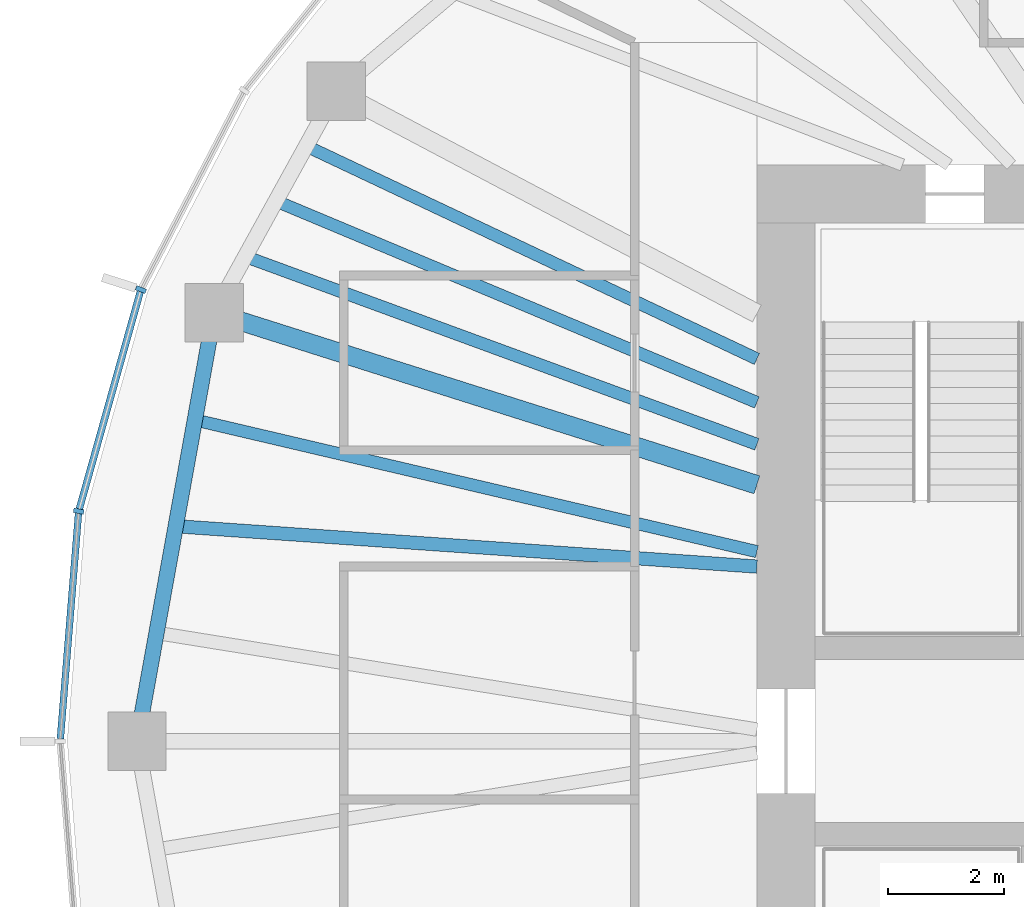
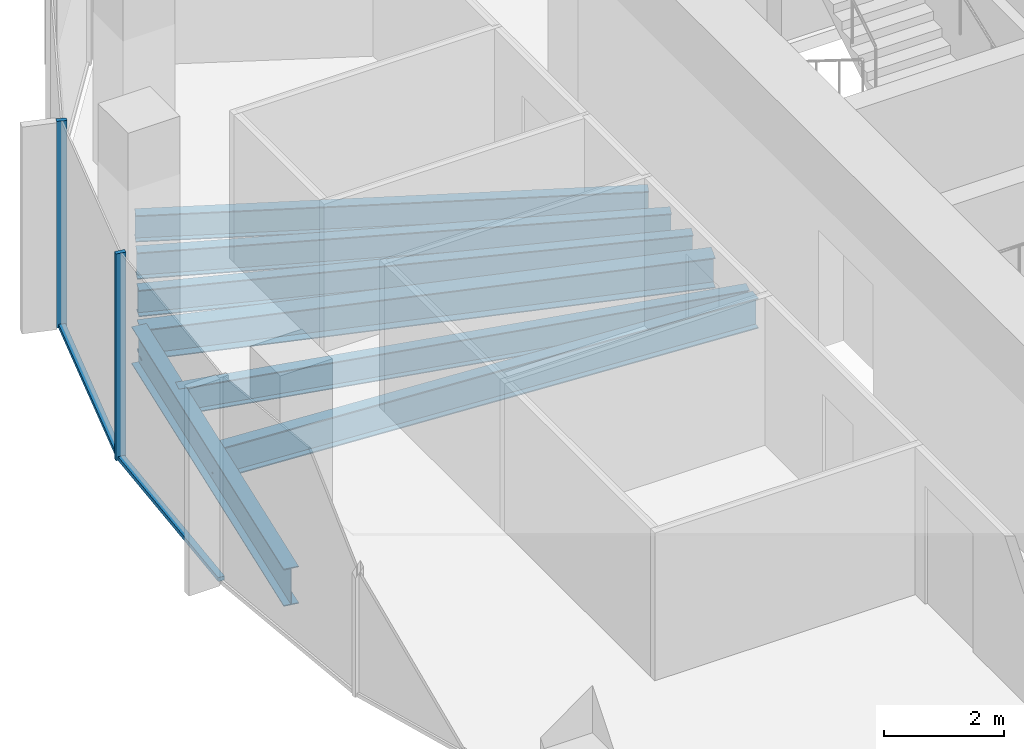
# One storey, part 3 of 11: 7 beams, 4 members, 1 element without a shape of its own.
"""IFC4 building model written with IfcOpenShell, lengths in metres."""

from ifc_helpers import new_model, si_unit, direction, frame, origin, origin_2d, place, context, subcontext, project, spatial, rectangle, i_section, extrude, material, material_profile, profile_set, type_object, element, aggregate, save


model = new_model("IFC4")

# Units and contexts
model_context = context("Model", 3, precision=1e-05, world=origin(), true_north=direction((0.0, 1.0)))
body_context = subcontext(model_context, "Body", "Model", "MODEL_VIEW")
ifc_project = project(units=[si_unit("LENGTHUNIT", "METRE"), si_unit("AREAUNIT", "SQUARE_METRE"), si_unit("VOLUMEUNIT", "CUBIC_METRE"), si_unit("PLANEANGLEUNIT", "RADIAN"), si_unit("MASSUNIT", "GRAM", prefix="KILO")], contexts=[model_context])

# Site, building, storey
site_placement = place(None, origin())
site = spatial("IfcSite", under=ifc_project, at=site_placement, CompositionType="ELEMENT")
building_placement = place(site_placement, origin())
building = spatial("IfcBuilding", under=site, at=building_placement, Name="Ghaith Harvest Tower", CompositionType="ELEMENT")
storey_placement = place(building_placement, frame((0.0, 0.0, 325.800048828125)))
storey = spatial("IfcBuildingStorey", under=building, at=storey_placement, Name="L73", CompositionType="ELEMENT", Elevation=325.800048828125)

# Curtain wall, members
ifc_material_1 = material(Name="Black anodised aluminium and fritted glass", Category="aluminium")
curtain_wall_type = type_object("IfcCurtainWallType", Name="CW-T CURTAIN WALL", PredefinedType="NOTDEFINED", material=ifc_material_1)
curtain_wall_placement = place(storey_placement, origin())
curtain_wall = element("IfcCurtainWall", 1, at=curtain_wall_placement, inside=storey, type_object=curtain_wall_type, Name="Curtain wall CW-T bay 10 L73", PredefinedType="NOTDEFINED")
ifc_material_2 = material(Name="Aluminium, black anodised", Category="aluminium")
ifc_material_profile_1 = material_profile(ifc_material_2, rectangle(XDim=0.080078125, YDim=0.179931640625, at=origin_2d()), Name="CW-T MULLION 80x180")
ifc_profile_set_1 = profile_set([ifc_material_profile_1], Name="Aluminium, black anodised")
member_type_1 = type_object("IfcMemberType", Name="CW-T MULLION 80x180", PredefinedType="MULLION", material=ifc_profile_set_1)
member_1_placement = place(storey_placement, frame((-24.482666015625, 7.759033203125, 0.0), z_axis=(0.0, 0.0, 1.0), x_axis=(-0.366473104961, -0.930428644948, 0.0)))
member_1 = element("IfcMember", 2, at=member_1_placement, type_object=member_type_1, Name="CW-T mullion 1 bay 10 L73", PredefinedType="MULLION", context=body_context, shape_type="SweptSolid", body=[
    extrude(rectangle(XDim=0.080078125, YDim=0.179931640625, at=origin_2d()), origin(), (0.0, 0.0, 1.0), 4.199951171875),
])
member_2_placement = place(storey_placement, frame((-25.5517578125, 3.9521484375, 0.0), z_axis=(0.0, 0.0, 1.0), x_axis=(-0.176001390642, -0.984389917915, 0.0)))
member_2 = element("IfcMember", 3, at=member_2_placement, type_object=member_type_1, Name="CW-T mullion 2 bay 10 L73", PredefinedType="MULLION", context=body_context, shape_type="SweptSolid", body=[
    extrude(rectangle(XDim=0.080078125, YDim=0.179931640625, at=origin_2d()), origin(), (0.0, 0.0, 1.0), 4.199951171875),
])
ifc_material_3 = material(Name="Aluminium, black anodised", Category="aluminium")
ifc_material_profile_2 = material_profile(ifc_material_3, rectangle(XDim=0.1201171875, YDim=0.080078125, at=origin_2d()), Name="CW-T TRANSOM 120x80")
ifc_profile_set_2 = profile_set([ifc_material_profile_2], Name="Aluminium, black anodised")
member_type_2 = type_object("IfcMemberType", Name="CW-T TRANSOM 120x80", PredefinedType="USERDEFINED", material=ifc_profile_set_2)
member_3_placement = place(storey_placement, frame((-24.49365234375, 7.720458984375, 0.0400390625), z_axis=(-0.270340422972, -0.962764797709, 0.0), x_axis=(0.962764797709, -0.270340422972, 0.0)))
member_3 = element("IfcMember", 4, at=member_3_placement, type_object=member_type_2, Name="CW-T transom 1 bay 10 L73", ObjectType="TRANSOM", PredefinedType="USERDEFINED", context=body_context, shape_type="SweptSolid", body=[
    extrude(rectangle(XDim=0.1201171875, YDim=0.080078125, at=origin_2d()), origin(), (0.0, 0.0, 1.0), 3.874267578125),
])
member_4_placement = place(storey_placement, frame((-25.554931640625, 3.912109375, 0.0400390625), z_axis=(-0.08025226314, -0.996774585481, 0.0), x_axis=(0.996774585481, -0.08025226314, 0.0)))
member_4 = element("IfcMember", 5, at=member_4_placement, type_object=member_type_2, Name="CW-T transom 2 bay 10 L73", ObjectType="TRANSOM", PredefinedType="USERDEFINED", context=body_context, shape_type="SweptSolid", body=[
    extrude(rectangle(XDim=0.1201171875, YDim=0.080078125, at=origin_2d()), origin(), (0.0, 0.0, 1.0), 3.884765625),
])
aggregate(curtain_wall, [member_1, member_3, member_2, member_4])

# Beams
ifc_material_4 = material(Name="Steel ASTM A992 Grade 50", Category="steel")
ifc_material_profile_3 = material_profile(ifc_material_4, i_section(OverallWidth=0.26611328125, OverallDepth=0.758056640625, WebThickness=0.013916015625, FlangeThickness=0.019287109375, at=origin_2d()), Name="W760X161")
ifc_profile_set_3 = profile_set([ifc_material_profile_3], Name="Steel ASTM A992 Grade 50")
beam_type_1 = type_object("IfcBeamType", Name="E760-161 W760X161", PredefinedType="SPANDREL", material=ifc_profile_set_3)
beam_1_placement = place(storey_placement, frame((-23.22412109375, 7.360107421875, -0.549072265625), z_axis=(-0.177296554745, -0.984157473007, 0.0), x_axis=(0.984157473007, -0.177296554745, 0.0)))
element("IfcBeam", 6, at=beam_1_placement, inside=storey, type_object=beam_type_1, Name="Edge beam E10 L73", PredefinedType="SPANDREL", context=body_context, shape_type="SweptSolid", body=[
    extrude(i_section(OverallWidth=0.26611328125, OverallDepth=0.758056640625, WebThickness=0.013916015625, FlangeThickness=0.019287109375, at=origin_2d()), origin(), (0.0, 0.0, 1.0), 7.478515625),
])
ifc_material_5 = material(Name="Steel ASTM A992 Grade 50", Category="steel")
ifc_material_profile_4 = material_profile(ifc_material_5, i_section(OverallWidth=0.323974609375, OverallDepth=0.611083984375, WebThickness=0.0126953125, FlangeThickness=0.01904296875, at=origin_2d()), Name="W610X155")
ifc_profile_set_4 = profile_set([ifc_material_profile_4], Name="Steel ASTM A992 Grade 50")
beam_type_2 = type_object("IfcBeamType", Name="G610-155 W610X155", PredefinedType="BEAM", material=ifc_profile_set_4)
beam_2_placement = place(storey_placement, frame((-13.89990234375, 4.4052734375, -0.4755859375), z_axis=(-0.953278508772, 0.302092841215, 0.0), x_axis=(-0.302092841215, -0.953278508772, 0.0)))
element("IfcBeam", 7, at=beam_2_placement, inside=storey, type_object=beam_type_2, Name="Radial girder G10 L73", PredefinedType="BEAM", context=body_context, shape_type="SweptSolid", body=[
    extrude(i_section(OverallWidth=0.323974609375, OverallDepth=0.611083984375, WebThickness=0.0126953125, FlangeThickness=0.01904296875, at=origin_2d()), origin(), (0.0, 0.0, 1.0), 9.78125),
])
ifc_material_6 = material(Name="Steel ASTM A992 Grade 50", Category="steel")
ifc_material_profile_5 = material_profile(ifc_material_6, i_section(OverallWidth=0.2109375, OverallDepth=0.5390625, WebThickness=0.01171875, FlangeThickness=0.018798828125, at=origin_2d()), Name="W530X109")
ifc_profile_set_5 = profile_set([ifc_material_profile_5], Name="Steel ASTM A992 Grade 50")
beam_type_3 = type_object("IfcBeamType", Name="J530-109 W530X109", PredefinedType="JOIST", material=ifc_profile_set_5)
beam_3_placement = place(storey_placement, frame((-13.89990234375, 6.56787109375, -0.439453125), z_axis=(-0.904165769726, 0.427181765594, 0.0), x_axis=(-0.427181765594, -0.904165769726, 0.0)))
element("IfcBeam", 8, at=beam_3_placement, inside=storey, type_object=beam_type_3, Name="Joist J09.1 L73", PredefinedType="JOIST", context=body_context, shape_type="SweptSolid", body=[
    extrude(i_section(OverallWidth=0.2109375, OverallDepth=0.5390625, WebThickness=0.01171875, FlangeThickness=0.018798828125, at=origin_2d()), origin(), (0.0, 0.0, 1.0), 8.564208984375),
])
beam_4_placement = place(storey_placement, frame((-13.89990234375, 5.82080078125, -0.439453125), z_axis=(-0.922394258818, 0.38624970071, 0.0), x_axis=(-0.38624970071, -0.922394258818, 0.0)))
element("IfcBeam", 9, at=beam_4_placement, inside=storey, type_object=beam_type_3, Name="Joist J09.2 L73", PredefinedType="JOIST", context=body_context, shape_type="SweptSolid", body=[
    extrude(i_section(OverallWidth=0.2109375, OverallDepth=0.5390625, WebThickness=0.01171875, FlangeThickness=0.018798828125, at=origin_2d()), origin(), (0.0, 0.0, 1.0), 8.959716796875),
])
beam_5_placement = place(storey_placement, frame((-13.89990234375, 5.101318359375, -0.439453125), z_axis=(-0.938776837502, 0.34452583266, 0.0), x_axis=(-0.34452583266, -0.938776837502, 0.0)))
element("IfcBeam", 10, at=beam_5_placement, inside=storey, type_object=beam_type_3, Name="Joist J09.3 L73", PredefinedType="JOIST", context=body_context, shape_type="SweptSolid", body=[
    extrude(i_section(OverallWidth=0.2109375, OverallDepth=0.5390625, WebThickness=0.01171875, FlangeThickness=0.018798828125, at=origin_2d()), origin(), (0.0, 0.0, 1.0), 9.36376953125),
])
beam_6_placement = place(storey_placement, frame((-13.89990234375, 3.257080078125, -0.439453125), z_axis=(-0.973623403271, 0.228161058472, 0.0), x_axis=(-0.228161058472, -0.973623403271, 0.0)))
element("IfcBeam", 11, at=beam_6_placement, inside=storey, type_object=beam_type_3, Name="Joist J10.1 L73", PredefinedType="JOIST", context=body_context, shape_type="SweptSolid", body=[
    extrude(i_section(OverallWidth=0.2109375, OverallDepth=0.5390625, WebThickness=0.01171875, FlangeThickness=0.018798828125, at=origin_2d()), origin(), (0.0, 0.0, 1.0), 9.9169921875),
])
ifc_material_7 = material(Name="Steel ASTM A992 Grade 50", Category="steel")
ifc_material_profile_6 = material_profile(ifc_material_7, i_section(OverallWidth=0.22998046875, OverallDepth=0.616943359375, WebThickness=0.01318359375, FlangeThickness=0.022216796875, at=origin_2d()), Name="W610X140")
ifc_profile_set_6 = profile_set([ifc_material_profile_6], Name="Steel ASTM A992 Grade 50")
beam_type_4 = type_object("IfcBeamType", Name="J610-140 W610X140", PredefinedType="JOIST", material=ifc_profile_set_6)
beam_7_placement = place(storey_placement, frame((-13.89990234375, 3.0, -0.478515625), z_axis=(-0.997592478057, 0.069348739886, 0.0), x_axis=(-0.069348739886, -0.997592478057, 0.0)))
element("IfcBeam", 12, at=beam_7_placement, inside=storey, type_object=beam_type_4, Name="Joist J10.2 L73", PredefinedType="JOIST", context=body_context, shape_type="SweptSolid", body=[
    extrude(i_section(OverallWidth=0.22998046875, OverallDepth=0.616943359375, WebThickness=0.01318359375, FlangeThickness=0.022216796875, at=origin_2d()), origin(), (0.0, 0.0, 1.0), 10.0087890625),
])

save(model, "model.ifc")
